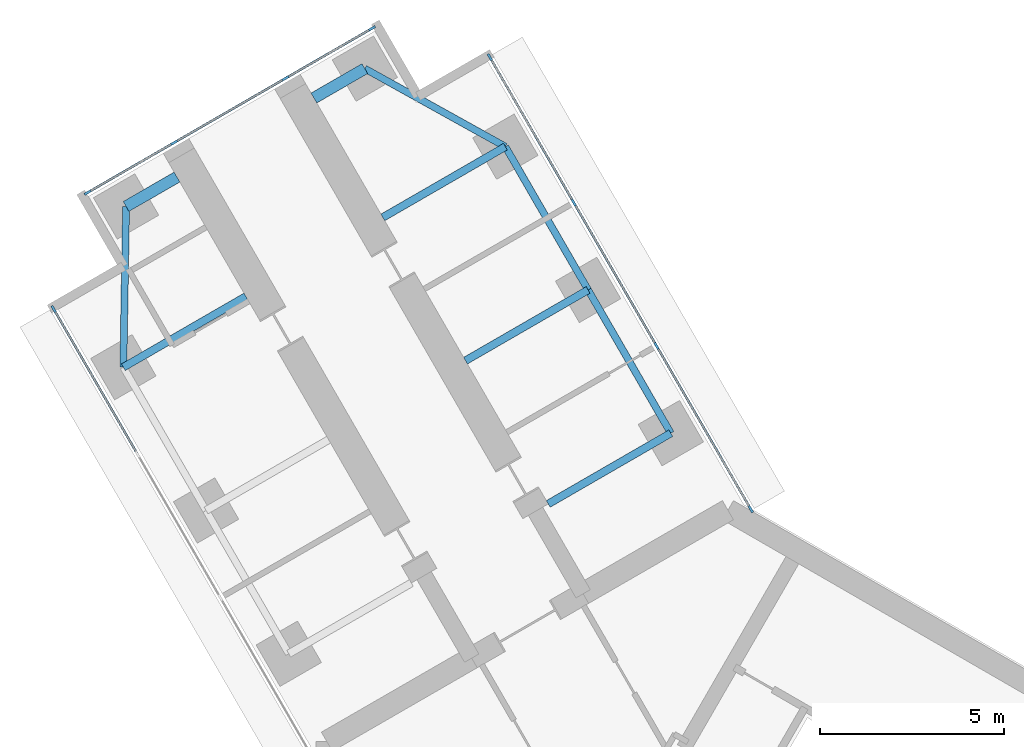
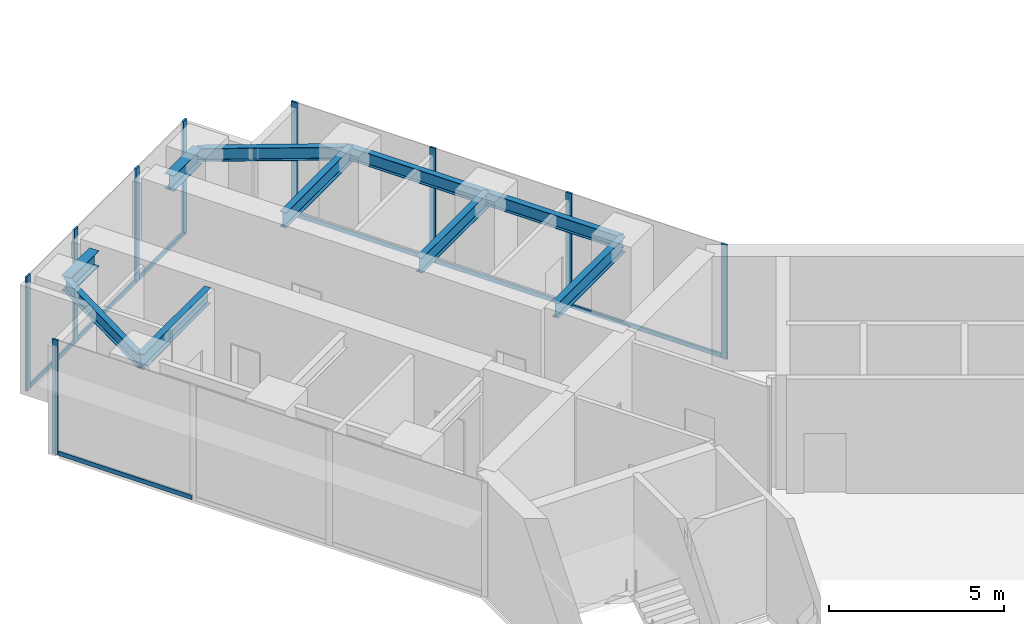
# One storey, part 6 of 22: 16 members, 10 beams, 3 elements without a shape of their own.
"""IFC4 building model written with IfcOpenShell, lengths in metres."""

from ifc_helpers import new_model, si_unit, direction, frame, origin, origin_2d, place, context, subcontext, project, spatial, rectangle, i_section, extrude, material, material_profile, profile_set, type_object, element, aggregate, save


model = new_model("IFC4")

# Units and contexts
model_context = context("Model", 3, precision=1e-05, world=origin(), true_north=direction((0.0, 1.0)))
body_context = subcontext(model_context, "Body", "Model", "MODEL_VIEW")
ifc_project = project(units=[si_unit("LENGTHUNIT", "METRE"), si_unit("AREAUNIT", "SQUARE_METRE"), si_unit("VOLUMEUNIT", "CUBIC_METRE"), si_unit("PLANEANGLEUNIT", "RADIAN"), si_unit("MASSUNIT", "GRAM", prefix="KILO")], contexts=[model_context])

# Site, building, storey
site_placement = place(None, origin())
site = spatial("IfcSite", under=ifc_project, at=site_placement, CompositionType="ELEMENT")
building_placement = place(site_placement, origin())
building = spatial("IfcBuilding", under=site, at=building_placement, Name="Upepo Twin Towers", CompositionType="ELEMENT")
storey_placement = place(building_placement, frame((0.0, 0.0, 129.5)))
storey = spatial("IfcBuildingStorey", under=building, at=storey_placement, Name="L31", CompositionType="ELEMENT", Elevation=129.5)

# Beams
ifc_material_1 = material(Name="Steel S355", Category="steel")
ifc_material_profile_1 = material_profile(ifc_material_1, i_section(OverallWidth=0.1904296875, OverallDepth=0.45703125, WebThickness=0.009033203125, FlangeThickness=0.014404296875, FilletRadius=0.01025390625, at=origin_2d()), Name="UB 457x191x74")
ifc_profile_set_1 = profile_set([ifc_material_profile_1], Name="Steel S355")
beam_type_1 = type_object("IfcBeamType", Name="Beam UB 457x191x74", PredefinedType="BEAM", material=ifc_profile_set_1)
beam_1_placement = place(storey_placement, frame((-16.446044921875, 16.485595703125, 3.571533203125), z_axis=(0.016803880528, 0.999858804832, 0.0), x_axis=(-0.999858804832, 0.016803880528, 0.0)))
element("IfcBeam", 1, at=beam_1_placement, inside=storey, type_object=beam_type_1, Name="T1 nose edge beam BL", PredefinedType="BEAM", context=body_context, shape_type="SweptSolid", body=[
    extrude(i_section(OverallWidth=0.1904296875, OverallDepth=0.45703125, WebThickness=0.009033203125, FlangeThickness=0.014404296875, FilletRadius=0.01025390625, at=origin_2d()), origin(), (0.0, 0.0, 1.0), 4.373291015625),
])
beam_2_placement = place(storey_placement, frame((-1.553955078125, 14.69140625, 3.571533203125), z_axis=(-0.500013631625, 0.866017533419, 0.0), x_axis=(-0.866017533419, -0.500013631625, 0.0)))
element("IfcBeam", 2, at=beam_2_placement, inside=storey, type_object=beam_type_1, Name="T1 edge beam BR 13.5-18.0", PredefinedType="BEAM", context=body_context, shape_type="SweptSolid", body=[
    extrude(i_section(OverallWidth=0.1904296875, OverallDepth=0.45703125, WebThickness=0.009033203125, FlangeThickness=0.014404296875, FilletRadius=0.01025390625, at=origin_2d()), origin(), (0.0, 0.0, 1.0), 4.499755859375),
])
beam_3_placement = place(storey_placement, frame((-3.803955078125, 18.58837890625, 3.571533203125), z_axis=(-0.499990139034, 0.866031096941, 0.0), x_axis=(-0.866031096941, -0.499990139034, 0.0)))
element("IfcBeam", 3, at=beam_3_placement, inside=storey, type_object=beam_type_1, Name="T1 edge beam BR 18.0-22.5", PredefinedType="BEAM", context=body_context, shape_type="SweptSolid", body=[
    extrude(i_section(OverallWidth=0.1904296875, OverallDepth=0.45703125, WebThickness=0.009033203125, FlangeThickness=0.014404296875, FilletRadius=0.01025390625, at=origin_2d()), origin(), (0.0, 0.0, 1.0), 4.5),
])
beam_4_placement = place(storey_placement, frame((-6.053955078125, 22.485595703125, 3.571533203125), z_axis=(-0.874312600038, 0.485363242752, 0.0), x_axis=(-0.485363242752, -0.874312600038, 0.0)))
element("IfcBeam", 4, at=beam_4_placement, inside=storey, type_object=beam_type_1, Name="T1 nose edge beam BR", PredefinedType="BEAM", context=body_context, shape_type="SweptSolid", body=[
    extrude(i_section(OverallWidth=0.1904296875, OverallDepth=0.45703125, WebThickness=0.009033203125, FlangeThickness=0.014404296875, FilletRadius=0.01025390625, at=origin_2d()), origin(), (0.0, 0.0, 1.0), 4.373046875),
])
ifc_material_2 = material(Name="Steel S355", Category="steel")
ifc_material_profile_2 = material_profile(ifc_material_2, i_section(OverallWidth=0.209228515625, OverallDepth=0.533203125, WebThickness=0.010009765625, FlangeThickness=0.015625, FilletRadius=0.0126953125, at=origin_2d()), Name="UB 533x210x92")
ifc_profile_set_2 = profile_set([ifc_material_profile_2], Name="Steel S355")
beam_type_2 = type_object("IfcBeamType", Name="Beam UB 533x210x92", PredefinedType="BEAM", material=ifc_profile_set_2)
for number, where, z_axis, x_axis, name in (
    (5, (-16.446044921875, 16.485595703125, 3.533447265625), (0.866006051527, 0.500033517596, 0.0), (-0.500033517596, 0.866006051527, 0.0), "T1 girder BL at 22.5"),
    (6, (-1.553955078125, 14.69140625, 3.533447265625), (-0.866006051527, -0.500033517596, 0.0), (0.500033517596, -0.866006051527, 0.0), "T1 girder BR at 13.5"),
):
    element("IfcBeam", number, at=place(storey_placement, frame(where, z_axis=z_axis, x_axis=x_axis)), inside=storey, type_object=beam_type_2, Name=name, PredefinedType="BEAM", context=body_context, shape_type="SweptSolid", body=[
        extrude(i_section(OverallWidth=0.209228515625, OverallDepth=0.533203125, WebThickness=0.010009765625, FlangeThickness=0.015625, FilletRadius=0.0126953125, at=origin_2d()), origin(), (0.0, 0.0, 1.0), 3.849853515625),
    ])
beam_5_placement = place(storey_placement, frame((-3.803955078125, 18.58837890625, 3.533447265625), z_axis=(-0.866033512162, -0.499985955615, 0.0), x_axis=(0.499985955615, -0.866033512162, 0.0)))
element("IfcBeam", 7, at=beam_5_placement, inside=storey, type_object=beam_type_2, Name="T1 girder BR at 18.0", PredefinedType="BEAM", context=body_context, shape_type="SweptSolid", body=[
    extrude(i_section(OverallWidth=0.209228515625, OverallDepth=0.533203125, WebThickness=0.010009765625, FlangeThickness=0.015625, FilletRadius=0.0126953125, at=origin_2d()), origin(), (0.0, 0.0, 1.0), 3.849609375),
])
beam_6_placement = place(storey_placement, frame((-6.053955078125, 22.485595703125, 3.533447265625), z_axis=(-0.866006051527, -0.500033517596, 0.0), x_axis=(0.500033517596, -0.866006051527, 0.0)))
element("IfcBeam", 8, at=beam_6_placement, inside=storey, type_object=beam_type_2, Name="T1 girder BR at 22.5", PredefinedType="BEAM", context=body_context, shape_type="SweptSolid", body=[
    extrude(i_section(OverallWidth=0.209228515625, OverallDepth=0.533203125, WebThickness=0.010009765625, FlangeThickness=0.015625, FilletRadius=0.0126953125, at=origin_2d()), origin(), (0.0, 0.0, 1.0), 3.849853515625),
])
ifc_material_3 = material(Name="Steel S355", Category="steel")
ifc_material_profile_3 = material_profile(ifc_material_3, i_section(OverallWidth=0.31201171875, OverallDepth=0.54345703125, WebThickness=0.0126953125, FlangeThickness=0.020263671875, FilletRadius=0.0126953125, at=origin_2d()), Name="UB 533x312x150")
ifc_profile_set_3 = profile_set([ifc_material_profile_3], Name="Steel S355")
beam_type_3 = type_object("IfcBeamType", Name="Beam UB 533x312x150", PredefinedType="BEAM", material=ifc_profile_set_3)
for number, where, z_axis, x_axis, name in (
    (9, (-16.37255859375, 20.858154296875, 3.5283203125), (0.865989903783, 0.500061482766, 0.0), (-0.500061482766, 0.865989903783, 0.0), "T1 nose beam BL"),
    (10, (-9.87744140625, 24.608154296875, 3.5283203125), (-0.865989903783, -0.500061482766, 0.0), (0.500061482766, -0.865989903783, 0.0), "T1 nose beam BR"),
):
    element("IfcBeam", number, at=place(storey_placement, frame(where, z_axis=z_axis, x_axis=x_axis)), inside=storey, type_object=beam_type_3, Name=name, PredefinedType="BEAM", context=body_context, shape_type="SweptSolid", body=[
        extrude(i_section(OverallWidth=0.31201171875, OverallDepth=0.54345703125, WebThickness=0.0126953125, FlangeThickness=0.020263671875, FilletRadius=0.0126953125, at=origin_2d()), origin(), (0.0, 0.0, 1.0), 1.599853515625),
    ])

# Curtain wall, member
ifc_material_4 = material(Name="Aluminium and fritted glass", Category="aluminium")
curtain_wall_type = type_object("IfcCurtainWallType", Name="Tower curtain wall TW2, fritted glass", PredefinedType="NOTDEFINED", material=ifc_material_4)
curtain_wall_1_placement = place(storey_placement, origin())
curtain_wall_1 = element("IfcCurtainWall", 11, at=curtain_wall_1_placement, inside=storey, type_object=curtain_wall_type, Name="T1 L31 wing B flank L curtain wall", PredefinedType="NOTDEFINED")
ifc_material_5 = material(Name="Aluminium mullion", Category="aluminium")
ifc_material_profile_4 = material_profile(ifc_material_5, rectangle(XDim=0.06494140625, YDim=0.199951171875, at=origin_2d()), Name="MULLION 65x200")
ifc_profile_set_4 = profile_set([ifc_material_profile_4], Name="Aluminium mullion")
member_type_1 = type_object("IfcMemberType", Name="Mullion 65x200 TW2", PredefinedType="MULLION", material=ifc_profile_set_4)
member_1_placement = place(storey_placement, frame((-18.341064453125, 18.067626953125, 0.0), z_axis=(0.0, 0.0, 1.0), x_axis=(-0.866025397833, -0.500000010308, 0.0)))
member_1 = element("IfcMember", 12, at=member_1_placement, type_object=member_type_1, Name="T1 L31 wing B flank L curtain wall mullion 4", PredefinedType="MULLION", context=body_context, shape_type="SweptSolid", body=[
    extrude(rectangle(XDim=0.06494140625, YDim=0.199951171875, at=origin_2d()), origin(), (0.0, 0.0, 1.0), 4.0),
])

# Curtain wall, members
curtain_wall_2_placement = place(storey_placement, origin())
curtain_wall_2 = element("IfcCurtainWall", 13, at=curtain_wall_2_placement, inside=storey, type_object=curtain_wall_type, Name="T1 L31 wing B flank R curtain wall", PredefinedType="NOTDEFINED")
member_2_placement = place(storey_placement, frame((-6.4765625, 24.91748046875, 0.0), z_axis=(0.0, 0.0, 1.0), x_axis=(0.866025397833, 0.500000010308, 0.0)))
member_2 = element("IfcMember", 14, at=member_2_placement, type_object=member_type_1, Name="T1 L31 wing B flank R curtain wall mullion 1", PredefinedType="MULLION", context=body_context, shape_type="SweptSolid", body=[
    extrude(rectangle(XDim=0.06494140625, YDim=0.199951171875, at=origin_2d()), origin(), (0.0, 0.0, 1.0), 4.0),
])
member_3_placement = place(storey_placement, frame((-4.192626953125, 20.9619140625, 0.0), z_axis=(0.0, 0.0, 1.0), x_axis=(0.866025397833, 0.500000010308, 0.0)))
member_3 = element("IfcMember", 15, at=member_3_placement, type_object=member_type_1, Name="T1 L31 wing B flank R curtain wall mullion 2", PredefinedType="MULLION", context=body_context, shape_type="SweptSolid", body=[
    extrude(rectangle(XDim=0.06494140625, YDim=0.199951171875, at=origin_2d()), origin(), (0.0, 0.0, 1.0), 4.0),
])
member_4_placement = place(storey_placement, frame((-1.942626953125, 17.06494140625, 0.0), z_axis=(0.0, 0.0, 1.0), x_axis=(0.866025397833, 0.500000010308, 0.0)))
member_4 = element("IfcMember", 16, at=member_4_placement, type_object=member_type_1, Name="T1 L31 wing B flank R curtain wall mullion 3", PredefinedType="MULLION", context=body_context, shape_type="SweptSolid", body=[
    extrude(rectangle(XDim=0.06494140625, YDim=0.199951171875, at=origin_2d()), origin(), (0.0, 0.0, 1.0), 4.0),
])
member_5_placement = place(storey_placement, frame((0.62255859375, 12.621826171875, 0.0), z_axis=(0.0, 0.0, 1.0), x_axis=(0.866025397833, 0.500000010308, 0.0)))
member_5 = element("IfcMember", 17, at=member_5_placement, type_object=member_type_1, Name="T1 L31 wing B flank R curtain wall mullion 4", PredefinedType="MULLION", context=body_context, shape_type="SweptSolid", body=[
    extrude(rectangle(XDim=0.06494140625, YDim=0.199951171875, at=origin_2d()), origin(), (0.0, 0.0, 1.0), 4.0),
])

curtain_wall_3_placement = place(storey_placement, origin())
curtain_wall_3 = element("IfcCurtainWall", 18, at=curtain_wall_3_placement, inside=storey, type_object=curtain_wall_type, Name="T1 L31 wing B nose curtain wall", PredefinedType="NOTDEFINED")
member_6_placement = place(storey_placement, frame((-9.68115234375, 25.703125, 0.0), z_axis=(0.0, 0.0, 1.0), x_axis=(0.500000030502, -0.866025386174, 0.0)))
member_6 = element("IfcMember", 19, at=member_6_placement, type_object=member_type_1, Name="T1 L31 wing B nose curtain wall mullion 1", PredefinedType="MULLION", context=body_context, shape_type="SweptSolid", body=[
    extrude(rectangle(XDim=0.06494140625, YDim=0.199951171875, at=origin_2d()), origin(), (0.0, 0.0, 1.0), 4.0),
])
member_7_placement = place(storey_placement, frame((-12.034423828125, 24.34423828125, 0.0), z_axis=(0.0, 0.0, 1.0), x_axis=(0.500000030502, -0.866025386174, 0.0)))
member_7 = element("IfcMember", 20, at=member_7_placement, type_object=member_type_1, Name="T1 L31 wing B nose curtain wall mullion 2", PredefinedType="MULLION", context=body_context, shape_type="SweptSolid", body=[
    extrude(rectangle(XDim=0.06494140625, YDim=0.199951171875, at=origin_2d()), origin(), (0.0, 0.0, 1.0), 4.0),
])
member_8_placement = place(storey_placement, frame((-15.0654296875, 22.59423828125, 0.0), z_axis=(0.0, 0.0, 1.0), x_axis=(0.500000030502, -0.866025386174, 0.0)))
member_8 = element("IfcMember", 21, at=member_8_placement, type_object=member_type_1, Name="T1 L31 wing B nose curtain wall mullion 3", PredefinedType="MULLION", context=body_context, shape_type="SweptSolid", body=[
    extrude(rectangle(XDim=0.06494140625, YDim=0.199951171875, at=origin_2d()), origin(), (0.0, 0.0, 1.0), 4.0),
])
member_9_placement = place(storey_placement, frame((-17.4189453125, 21.235595703125, 0.0), z_axis=(0.0, 0.0, 1.0), x_axis=(0.500000030502, -0.866025386174, 0.0)))
member_9 = element("IfcMember", 22, at=member_9_placement, type_object=member_type_1, Name="T1 L31 wing B nose curtain wall mullion 4", PredefinedType="MULLION", context=body_context, shape_type="SweptSolid", body=[
    extrude(rectangle(XDim=0.06494140625, YDim=0.199951171875, at=origin_2d()), origin(), (0.0, 0.0, 1.0), 4.0),
])

# Member
ifc_material_6 = material(Name="Aluminium transom", Category="aluminium")
ifc_material_profile_5 = material_profile(ifc_material_6, rectangle(XDim=0.06494140625, YDim=0.14990234375, at=origin_2d()), Name="TRANSOM 65x150")
ifc_profile_set_5 = profile_set([ifc_material_profile_5], Name="Aluminium transom")
member_type_2 = type_object("IfcMemberType", Name="Transom 65x150 TW2", PredefinedType="USERDEFINED", material=ifc_profile_set_5)
member_10_placement = place(storey_placement, frame((-16.073486328125, 14.14013671875, 0.074951171875), z_axis=(-0.499982167615, 0.866035699072, 0.0), x_axis=(-0.866035699072, -0.499982167615, 0.0)))
member_10 = element("IfcMember", 23, at=member_10_placement, type_object=member_type_2, Name="T1 L31 wing B flank L curtain wall transom 3", ObjectType="TRANSOM", PredefinedType="USERDEFINED", context=body_context, shape_type="SweptSolid", body=[
    extrude(rectangle(XDim=0.06494140625, YDim=0.14990234375, at=origin_2d()), origin(), (0.0, 0.0, 1.0), 4.502685546875),
])

aggregate(curtain_wall_1, [member_1, member_10])

member_11_placement = place(storey_placement, frame((-6.460205078125, 24.889404296875, 0.074951171875), z_axis=(0.500005646842, -0.866022143554, 0.0), x_axis=(0.866022143554, 0.500005646842, 0.0)))
member_11 = element("IfcMember", 24, at=member_11_placement, type_object=member_type_2, Name="T1 L31 wing B flank R curtain wall transom 1", ObjectType="TRANSOM", PredefinedType="USERDEFINED", context=body_context, shape_type="SweptSolid", body=[
    extrude(rectangle(XDim=0.06494140625, YDim=0.14990234375, at=origin_2d()), origin(), (0.0, 0.0, 1.0), 4.50244140625),
])

member_12_placement = place(storey_placement, frame((-4.176513671875, 20.933837890625, 0.074951171875), z_axis=(0.500005184116, -0.866022410713, 0.0), x_axis=(0.866022410713, 0.500005184116, 0.0)))
member_12 = element("IfcMember", 25, at=member_12_placement, type_object=member_type_2, Name="T1 L31 wing B flank R curtain wall transom 2", ObjectType="TRANSOM", PredefinedType="USERDEFINED", context=body_context, shape_type="SweptSolid", body=[
    extrude(rectangle(XDim=0.06494140625, YDim=0.14990234375, at=origin_2d()), origin(), (0.0, 0.0, 1.0), 4.43505859375),
])

member_13_placement = place(storey_placement, frame((-1.926513671875, 17.036865234375, 0.074951171875), z_axis=(0.499985288567, -0.866033897268, 0.0), x_axis=(0.866033897268, 0.499985288567, 0.0)))
member_13 = element("IfcMember", 26, at=member_13_placement, type_object=member_type_2, Name="T1 L31 wing B flank R curtain wall transom 3", ObjectType="TRANSOM", PredefinedType="USERDEFINED", context=body_context, shape_type="SweptSolid", body=[
    extrude(rectangle(XDim=0.06494140625, YDim=0.14990234375, at=origin_2d()), origin(), (0.0, 0.0, 1.0), 5.065673828125),
])

aggregate(curtain_wall_2, [member_2, member_3, member_4, member_5, member_11, member_12, member_13])

member_14_placement = place(storey_placement, frame((-9.709228515625, 25.686767578125, 0.074951171875), z_axis=(-0.866036909293, -0.499980071345, 0.0), x_axis=(0.499980071345, -0.866036909293, 0.0)))
member_14 = element("IfcMember", 27, at=member_14_placement, type_object=member_type_2, Name="T1 L31 wing B nose curtain wall transom 1", ObjectType="TRANSOM", PredefinedType="USERDEFINED", context=body_context, shape_type="SweptSolid", body=[
    extrude(rectangle(XDim=0.06494140625, YDim=0.14990234375, at=origin_2d()), origin(), (0.0, 0.0, 1.0), 2.65234375),
])

member_15_placement = place(storey_placement, frame((-12.0625, 24.328125, 0.074951171875), z_axis=(-0.866025804792, -0.499999305434, 0.0), x_axis=(0.499999305434, -0.866025804792, 0.0)))
member_15 = element("IfcMember", 28, at=member_15_placement, type_object=member_type_2, Name="T1 L31 wing B nose curtain wall transom 2", ObjectType="TRANSOM", PredefinedType="USERDEFINED", context=body_context, shape_type="SweptSolid", body=[
    extrude(rectangle(XDim=0.06494140625, YDim=0.14990234375, at=origin_2d()), origin(), (0.0, 0.0, 1.0), 3.43505859375),
])

member_16_placement = place(storey_placement, frame((-15.09375, 22.578125, 0.074951171875), z_axis=(-0.865997053448, -0.500049101008, 0.0), x_axis=(0.500049101008, -0.865997053448, 0.0)))
member_16 = element("IfcMember", 29, at=member_16_placement, type_object=member_type_2, Name="T1 L31 wing B nose curtain wall transom 3", ObjectType="TRANSOM", PredefinedType="USERDEFINED", context=body_context, shape_type="SweptSolid", body=[
    extrude(rectangle(XDim=0.06494140625, YDim=0.14990234375, at=origin_2d()), origin(), (0.0, 0.0, 1.0), 2.652587890625),
])

aggregate(curtain_wall_3, [member_6, member_7, member_8, member_9, member_14, member_15, member_16])

save(model, "model.ifc")
